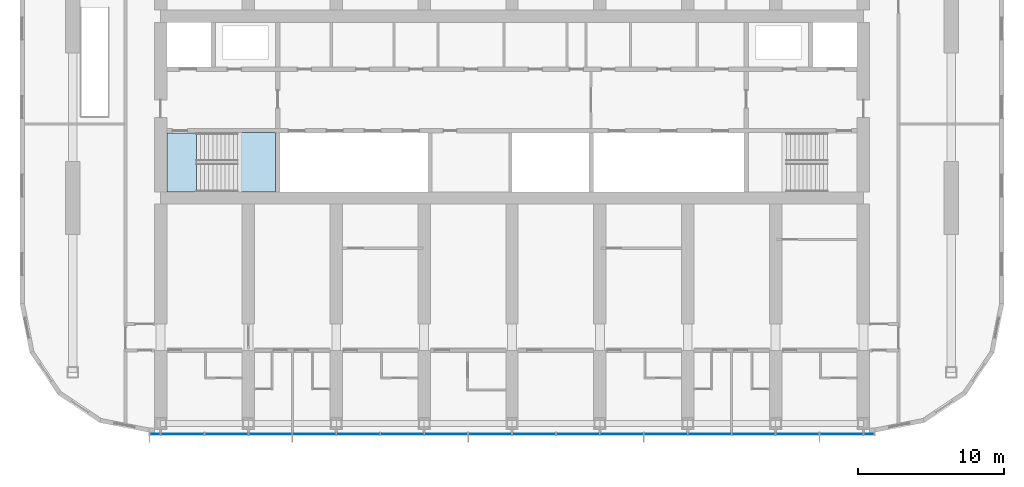
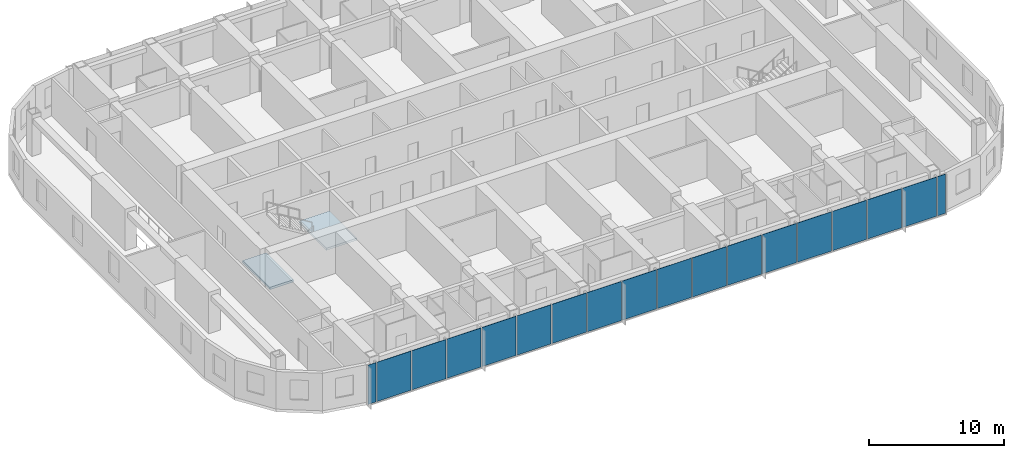
# One storey, part 7 of 22: 18 plates, 2 slabs, 2 elements without a shape of their own.
"""IFC4 building model written with IfcOpenShell, lengths in metres."""

from ifc_helpers import new_model, si_unit, direction, frame, origin, origin_2d, place, context, subcontext, project, spatial, polyline, rectangle, outline, extrude, material, layer, layer_set, type_object, element, aggregate, save


model = new_model("IFC4")

# Units and contexts
model_context = context("Model", 3, precision=1e-05, world=origin(), true_north=direction((0.0, 1.0)))
body_context = subcontext(model_context, "Body", "Model", "MODEL_VIEW")
ifc_project = project(units=[si_unit("LENGTHUNIT", "METRE"), si_unit("AREAUNIT", "SQUARE_METRE"), si_unit("VOLUMEUNIT", "CUBIC_METRE"), si_unit("PLANEANGLEUNIT", "RADIAN"), si_unit("MASSUNIT", "GRAM", prefix="KILO")], contexts=[model_context])

# Site, building, storey
site_placement = place(None, origin())
site = spatial("IfcSite", under=ifc_project, at=site_placement, CompositionType="ELEMENT")
building_placement = place(site_placement, origin())
building = spatial("IfcBuilding", under=site, at=building_placement, Name="Orbita Commons", CompositionType="ELEMENT")
storey_placement = place(building_placement, frame((0.0, 0.0, 197.35009765625)))
storey = spatial("IfcBuildingStorey", under=building, at=storey_placement, Name="L49", CompositionType="ELEMENT", Elevation=197.35009765625)

# Curtain wall, plates
ifc_material_1 = material(Name="Anodised aluminium frame, pale silver", Category="aluminium")
curtain_wall_type = type_object("IfcCurtainWallType", Name="Unitised curtain wall CW-U, full-height vision", PredefinedType="NOTDEFINED", material=ifc_material_1)
curtain_wall_placement = place(storey_placement, origin())
curtain_wall = element("IfcCurtainWall", 1, at=curtain_wall_placement, inside=storey, type_object=curtain_wall_type, Name="Curtain wall south L49", PredefinedType="NOTDEFINED")
ifc_material_2 = material(Name="Clear double glazing", Category="glass")
ifc_layer_1 = layer(ifc_material_2, 0.031982421875)
ifc_layer_set_1 = layer_set([ifc_layer_1], Name="Clear double glazing")
plate_type = type_object("IfcPlateType", Name="Full-height vision panel, clear glazing 32", PredefinedType="CURTAIN_PANEL", material=ifc_layer_set_1)
plate_1_placement = place(storey_placement, frame((17.6201171875, 9.68994140625, -0.14990234375), z_axis=(0.0, 0.0, 1.0), x_axis=(1.0, 0.0, 0.0)))
plate_1 = element("IfcPlate", 2, at=plate_1_placement, type_object=plate_type, Name="Panel 1.1 CW-L49-S", PredefinedType="CURTAIN_PANEL", context=body_context, shape_type="SweptSolid", body=[
    extrude(rectangle(XDim=0.679931640625, YDim=0.031982421875, at=origin_2d()), origin(), (0.0, 0.0, 1.0), 3.550048828125),
])
plate_2_placement = place(storey_placement, frame((19.5, 9.68994140625, -0.14990234375), z_axis=(0.0, 0.0, 1.0), x_axis=(1.0, 0.0, 0.0)))
plate_2 = element("IfcPlate", 3, at=plate_2_placement, type_object=plate_type, Name="Panel 2.1 CW-L49-S", PredefinedType="CURTAIN_PANEL", context=body_context, shape_type="SweptSolid", body=[
    extrude(rectangle(XDim=2.919921875, YDim=0.031982421875, at=origin_2d()), origin(), (0.0, 0.0, 1.0), 3.550048828125),
])
plate_3_placement = place(storey_placement, frame((22.5, 9.68994140625, -0.14990234375), z_axis=(0.0, 0.0, 1.0), x_axis=(1.0, 0.0, 0.0)))
plate_3 = element("IfcPlate", 4, at=plate_3_placement, type_object=plate_type, Name="Panel 3.1 CW-L49-S", PredefinedType="CURTAIN_PANEL", context=body_context, shape_type="SweptSolid", body=[
    extrude(rectangle(XDim=2.919921875, YDim=0.031982421875, at=origin_2d()), origin(), (0.0, 0.0, 1.0), 3.550048828125),
])
plate_4_placement = place(storey_placement, frame((25.5, 9.68994140625, -0.14990234375), z_axis=(0.0, 0.0, 1.0), x_axis=(1.0, 0.0, 0.0)))
plate_4 = element("IfcPlate", 5, at=plate_4_placement, type_object=plate_type, Name="Panel 4.1 CW-L49-S", PredefinedType="CURTAIN_PANEL", context=body_context, shape_type="SweptSolid", body=[
    extrude(rectangle(XDim=2.919921875, YDim=0.031982421875, at=origin_2d()), origin(), (0.0, 0.0, 1.0), 3.550048828125),
])
plate_5_placement = place(storey_placement, frame((28.5, 9.68994140625, -0.14990234375), z_axis=(0.0, 0.0, 1.0), x_axis=(1.0, 0.0, 0.0)))
plate_5 = element("IfcPlate", 6, at=plate_5_placement, type_object=plate_type, Name="Panel 5.1 CW-L49-S", PredefinedType="CURTAIN_PANEL", context=body_context, shape_type="SweptSolid", body=[
    extrude(rectangle(XDim=2.919921875, YDim=0.031982421875, at=origin_2d()), origin(), (0.0, 0.0, 1.0), 3.550048828125),
])
plate_6_placement = place(storey_placement, frame((31.5, 9.68994140625, -0.14990234375), z_axis=(0.0, 0.0, 1.0), x_axis=(1.0, 0.0, 0.0)))
plate_6 = element("IfcPlate", 7, at=plate_6_placement, type_object=plate_type, Name="Panel 6.1 CW-L49-S", PredefinedType="CURTAIN_PANEL", context=body_context, shape_type="SweptSolid", body=[
    extrude(rectangle(XDim=2.919921875, YDim=0.031982421875, at=origin_2d()), origin(), (0.0, 0.0, 1.0), 3.550048828125),
])
plate_7_placement = place(storey_placement, frame((34.5, 9.68994140625, -0.14990234375), z_axis=(0.0, 0.0, 1.0), x_axis=(1.0, 0.0, 0.0)))
plate_7 = element("IfcPlate", 8, at=plate_7_placement, type_object=plate_type, Name="Panel 7.1 CW-L49-S", PredefinedType="CURTAIN_PANEL", context=body_context, shape_type="SweptSolid", body=[
    extrude(rectangle(XDim=2.919921875, YDim=0.031982421875, at=origin_2d()), origin(), (0.0, 0.0, 1.0), 3.550048828125),
])
plate_8_placement = place(storey_placement, frame((37.5, 9.68994140625, -0.14990234375), z_axis=(0.0, 0.0, 1.0), x_axis=(1.0, 0.0, 0.0)))
plate_8 = element("IfcPlate", 9, at=plate_8_placement, type_object=plate_type, Name="Panel 8.1 CW-L49-S", PredefinedType="CURTAIN_PANEL", context=body_context, shape_type="SweptSolid", body=[
    extrude(rectangle(XDim=2.919921875, YDim=0.031982421875, at=origin_2d()), origin(), (0.0, 0.0, 1.0), 3.550048828125),
])
plate_9_placement = place(storey_placement, frame((40.5, 9.68994140625, -0.14990234375), z_axis=(0.0, 0.0, 1.0), x_axis=(1.0, 0.0, 0.0)))
plate_9 = element("IfcPlate", 10, at=plate_9_placement, type_object=plate_type, Name="Panel 9.1 CW-L49-S", PredefinedType="CURTAIN_PANEL", context=body_context, shape_type="SweptSolid", body=[
    extrude(rectangle(XDim=2.919921875, YDim=0.031982421875, at=origin_2d()), origin(), (0.0, 0.0, 1.0), 3.550048828125),
])
plate_10_placement = place(storey_placement, frame((43.5, 9.68994140625, -0.14990234375), z_axis=(0.0, 0.0, 1.0), x_axis=(1.0, 0.0, 0.0)))
plate_10 = element("IfcPlate", 11, at=plate_10_placement, type_object=plate_type, Name="Panel 10.1 CW-L49-S", PredefinedType="CURTAIN_PANEL", context=body_context, shape_type="SweptSolid", body=[
    extrude(rectangle(XDim=2.919921875, YDim=0.031982421875, at=origin_2d()), origin(), (0.0, 0.0, 1.0), 3.550048828125),
])
plate_11_placement = place(storey_placement, frame((46.5, 9.68994140625, -0.14990234375), z_axis=(0.0, 0.0, 1.0), x_axis=(1.0, 0.0, 0.0)))
plate_11 = element("IfcPlate", 12, at=plate_11_placement, type_object=plate_type, Name="Panel 11.1 CW-L49-S", PredefinedType="CURTAIN_PANEL", context=body_context, shape_type="SweptSolid", body=[
    extrude(rectangle(XDim=2.919921875, YDim=0.031982421875, at=origin_2d()), origin(), (0.0, 0.0, 1.0), 3.550048828125),
])
plate_12_placement = place(storey_placement, frame((49.5, 9.68994140625, -0.14990234375), z_axis=(0.0, 0.0, 1.0), x_axis=(1.0, 0.0, 0.0)))
plate_12 = element("IfcPlate", 13, at=plate_12_placement, type_object=plate_type, Name="Panel 12.1 CW-L49-S", PredefinedType="CURTAIN_PANEL", context=body_context, shape_type="SweptSolid", body=[
    extrude(rectangle(XDim=2.919921875, YDim=0.031982421875, at=origin_2d()), origin(), (0.0, 0.0, 1.0), 3.550048828125),
])
plate_13_placement = place(storey_placement, frame((52.5, 9.68994140625, -0.14990234375), z_axis=(0.0, 0.0, 1.0), x_axis=(1.0, 0.0, 0.0)))
plate_13 = element("IfcPlate", 14, at=plate_13_placement, type_object=plate_type, Name="Panel 13.1 CW-L49-S", PredefinedType="CURTAIN_PANEL", context=body_context, shape_type="SweptSolid", body=[
    extrude(rectangle(XDim=2.919921875, YDim=0.031982421875, at=origin_2d()), origin(), (0.0, 0.0, 1.0), 3.550048828125),
])
plate_14_placement = place(storey_placement, frame((55.5, 9.68994140625, -0.14990234375), z_axis=(0.0, 0.0, 1.0), x_axis=(1.0, 0.0, 0.0)))
plate_14 = element("IfcPlate", 15, at=plate_14_placement, type_object=plate_type, Name="Panel 14.1 CW-L49-S", PredefinedType="CURTAIN_PANEL", context=body_context, shape_type="SweptSolid", body=[
    extrude(rectangle(XDim=2.919921875, YDim=0.031982421875, at=origin_2d()), origin(), (0.0, 0.0, 1.0), 3.550048828125),
])
plate_15_placement = place(storey_placement, frame((58.5, 9.68994140625, -0.14990234375), z_axis=(0.0, 0.0, 1.0), x_axis=(1.0, 0.0, 0.0)))
plate_15 = element("IfcPlate", 16, at=plate_15_placement, type_object=plate_type, Name="Panel 15.1 CW-L49-S", PredefinedType="CURTAIN_PANEL", context=body_context, shape_type="SweptSolid", body=[
    extrude(rectangle(XDim=2.919921875, YDim=0.031982421875, at=origin_2d()), origin(), (0.0, 0.0, 1.0), 3.550048828125),
])
plate_16_placement = place(storey_placement, frame((61.5, 9.68994140625, -0.14990234375), z_axis=(0.0, 0.0, 1.0), x_axis=(1.0, 0.0, 0.0)))
plate_16 = element("IfcPlate", 17, at=plate_16_placement, type_object=plate_type, Name="Panel 16.1 CW-L49-S", PredefinedType="CURTAIN_PANEL", context=body_context, shape_type="SweptSolid", body=[
    extrude(rectangle(XDim=2.919921875, YDim=0.031982421875, at=origin_2d()), origin(), (0.0, 0.0, 1.0), 3.550048828125),
])
plate_17_placement = place(storey_placement, frame((64.5, 9.68994140625, -0.14990234375), z_axis=(0.0, 0.0, 1.0), x_axis=(1.0, 0.0, 0.0)))
plate_17 = element("IfcPlate", 18, at=plate_17_placement, type_object=plate_type, Name="Panel 17.1 CW-L49-S", PredefinedType="CURTAIN_PANEL", context=body_context, shape_type="SweptSolid", body=[
    extrude(rectangle(XDim=2.919921875, YDim=0.031982421875, at=origin_2d()), origin(), (0.0, 0.0, 1.0), 3.550048828125),
])
plate_18_placement = place(storey_placement, frame((66.3798828125, 9.68994140625, -0.14990234375), z_axis=(0.0, 0.0, 1.0), x_axis=(1.0, 0.0, 0.0)))
plate_18 = element("IfcPlate", 19, at=plate_18_placement, type_object=plate_type, Name="Panel 18.1 CW-L49-S", PredefinedType="CURTAIN_PANEL", context=body_context, shape_type="SweptSolid", body=[
    extrude(rectangle(XDim=0.679931640625, YDim=0.031982421875, at=origin_2d()), origin(), (0.0, 0.0, 1.0), 3.550048828125),
])
aggregate(curtain_wall, [plate_1, plate_2, plate_3, plate_4, plate_5, plate_6, plate_7, plate_8, plate_9, plate_10, plate_11, plate_12, plate_13, plate_14, plate_15, plate_16, plate_17, plate_18])

# Stair, slabs
ifc_material_3 = material(Name="Precast concrete C40/50", Category="concrete")
stair_type = type_object("IfcStairType", Name="Exit stair S1 2 flights 11 risers 170", PredefinedType="HALF_TURN_STAIR", material=ifc_material_3)
stair_placement = place(storey_placement, origin())
stair = element("IfcStair", 20, at=stair_placement, inside=storey, type_object=stair_type, Name="Exit stair S1 L49", PredefinedType="HALF_TURN_STAIR")
ifc_material_4 = material(Name="Concrete C40/50", Category="concrete")
ifc_layer_2 = layer(ifc_material_4, 0.199951171875)
ifc_layer_set_2 = layer_set([ifc_layer_2], Name="Concrete C40/50")
slab_type = type_object("IfcSlabType", Name="Stair landing 200", PredefinedType="LANDING", material=ifc_layer_set_2)
slab_1_placement = place(storey_placement, frame((0.0, 0.0, -0.2001953125)))
slab_1 = element("IfcSlab", 21, at=slab_1_placement, type_object=slab_type, Name="S1 landing 1", PredefinedType="LANDING", context=body_context, shape_type="SweptSolid", body=[
    extrude(outline(polyline([(18.425048828125, 26.22509765625), (20.449951171875, 26.22509765625), (20.449951171875, 30.25), (18.425048828125, 30.25), (18.425048828125, 26.22509765625)])), origin(), (0.0, 0.0, 1.0), 0.2001953125),
])
slab_2_placement = place(storey_placement, frame((0.0, 0.0, 1.6748046875)))
slab_2 = element("IfcSlab", 22, at=slab_2_placement, type_object=slab_type, Name="S1 landing 2", PredefinedType="LANDING", context=body_context, shape_type="SweptSolid", body=[
    extrude(outline(polyline([(23.25, 26.2099609375), (25.864990234375, 26.2099609375), (25.864990234375, 30.264892578125), (23.25, 30.264892578125), (23.25, 26.2099609375)])), origin(), (0.0, 0.0, 1.0), 0.2001953125),
])
aggregate(stair, [slab_1, slab_2])

save(model, "model.ifc")
